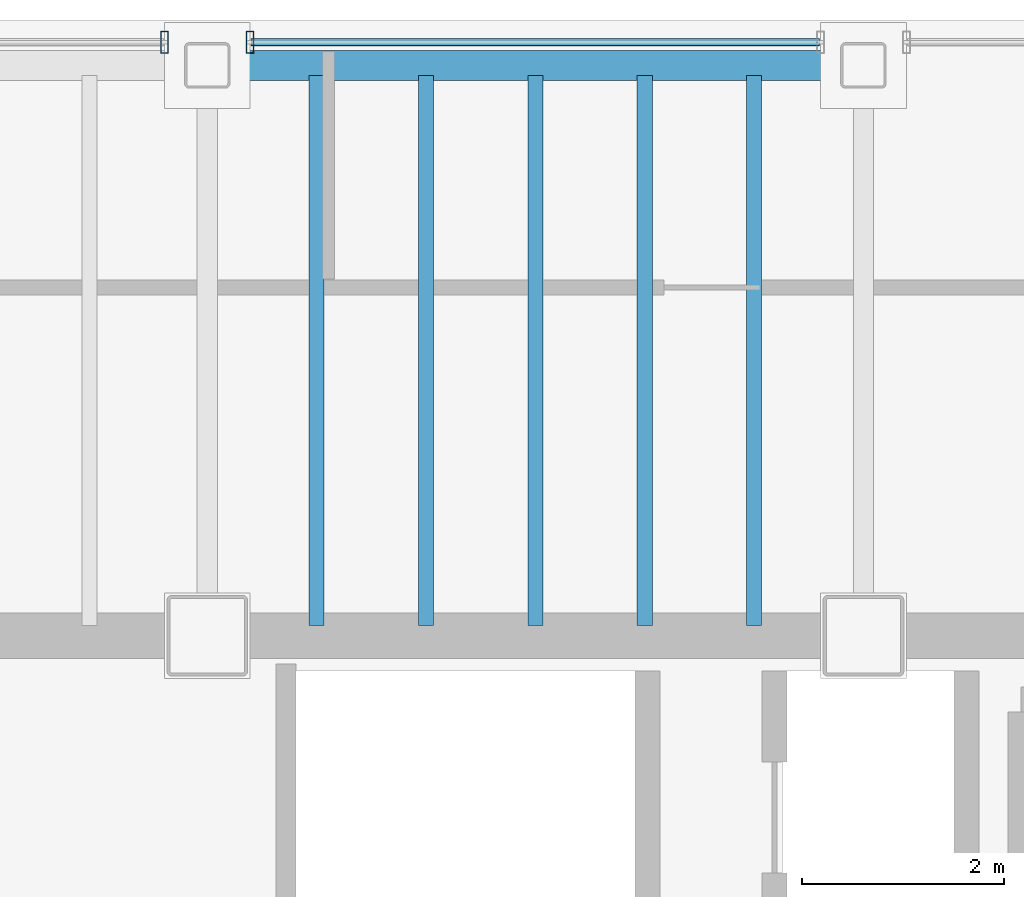
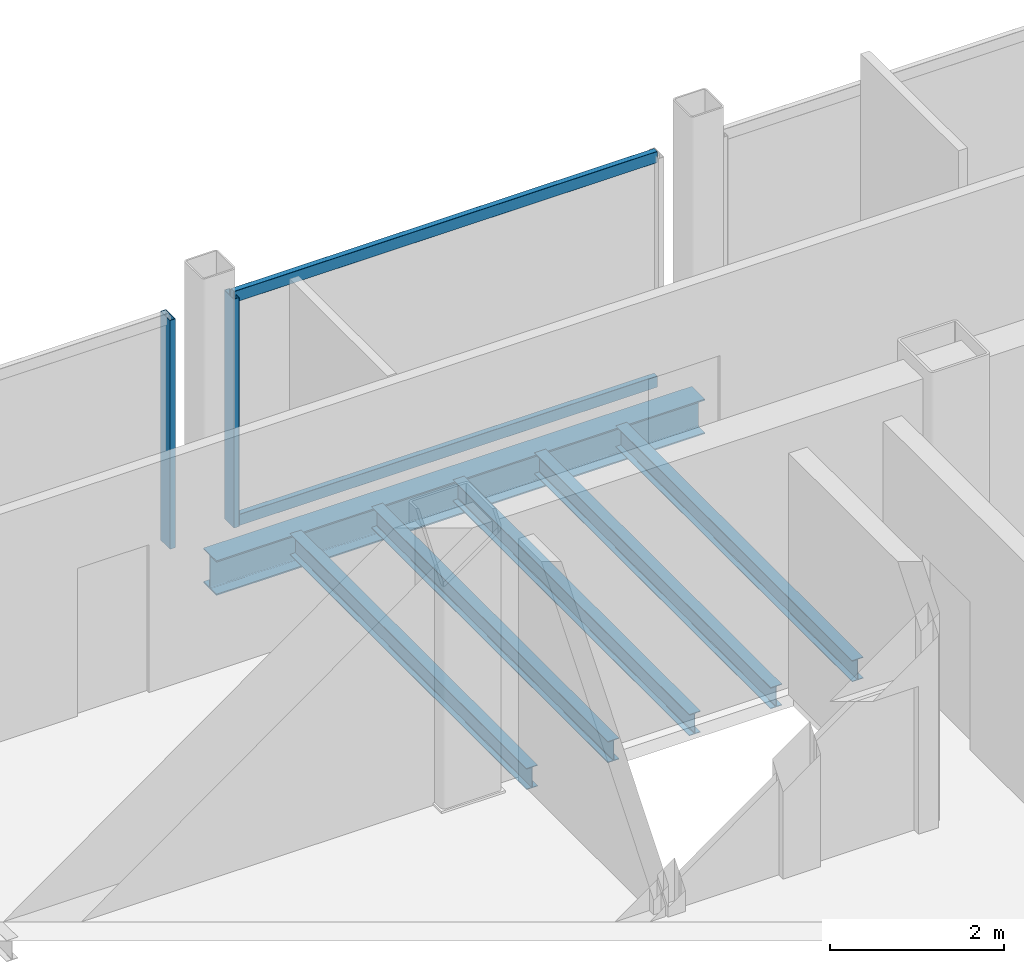
# One storey, part 10 of 17: 6 beams, 4 members, 2 elements without a shape of their own.
"""IFC4 building model written with IfcOpenShell, lengths in metres."""

from ifc_helpers import new_model, si_unit, direction, frame, origin, origin_2d, place, context, subcontext, project, spatial, hollow_rectangle, i_section, extrude, material, material_profile, profile_set, type_object, element, aggregate, save


model = new_model("IFC4")

# Units and contexts
model_context = context("Model", 3, precision=1e-05, world=origin(), true_north=direction((0.0, 1.0)))
body_context = subcontext(model_context, "Body", "Model", "MODEL_VIEW")
ifc_project = project(units=[si_unit("LENGTHUNIT", "METRE"), si_unit("AREAUNIT", "SQUARE_METRE"), si_unit("VOLUMEUNIT", "CUBIC_METRE"), si_unit("PLANEANGLEUNIT", "RADIAN"), si_unit("MASSUNIT", "GRAM", prefix="KILO")], contexts=[model_context])

# Site, building, storey
site_placement = place(None, origin())
site = spatial("IfcSite", under=ifc_project, at=site_placement, CompositionType="ELEMENT")
building_placement = place(site_placement, origin())
building = spatial("IfcBuilding", under=site, at=building_placement, Name="Noeulbin Bourse Tower", CompositionType="ELEMENT")
storey_placement = place(building_placement, frame((0.0, 0.0, 265.699951171875)))
storey = spatial("IfcBuildingStorey", under=building, at=storey_placement, Name="L66", CompositionType="ELEMENT", Elevation=265.699951171875)

# Beams
ifc_material_1 = material(Name="Steel S355", Category="steel")
ifc_material_profile_1 = material_profile(ifc_material_1, i_section(OverallWidth=0.14990234375, OverallDepth=0.300048828125, WebThickness=0.006591796875, FlangeThickness=0.009033203125, FilletRadius=0.012939453125, at=origin_2d()), Name="H-300x150x6.5x9", Category="LoadBearing")
ifc_profile_set_1 = profile_set([ifc_material_profile_1], Name="Steel S355")
beam_type_1 = type_object("IfcBeamType", Name="BM-JST-300", PredefinedType="JOIST", material=ifc_profile_set_1)
for number, where, z_axis, x_axis, name in (
    (1, (32.083251953125, 38.39990234375, -0.329833984375), (0.0, 1.0, 0.0), (-1.0, 0.0, 0.0), "Tower Composite Joist L66-28"),
    (2, (33.166748046875, 38.39990234375, -0.329833984375), (0.0, 1.0, 0.0), (-1.0, 0.0, 0.0), "Tower Composite Joist L66-30"),
    (3, (34.25, 38.39990234375, -0.329833984375), (0.0, 1.0, 0.0), (-1.0, 0.0, 0.0), "Tower Composite Joist L66-32"),
    (4, (35.333251953125, 38.39990234375, -0.329833984375), (0.0, 1.0, 0.0), (-1.0, 0.0, 0.0), "Tower Composite Joist L66-34"),
    (5, (36.416748046875, 38.39990234375, -0.329833984375), (0.0, 1.0, 0.0), (-1.0, 0.0, 0.0), "Tower Composite Joist L66-36"),
):
    element("IfcBeam", number, at=place(storey_placement, frame(where, z_axis=z_axis, x_axis=x_axis)), inside=storey, type_object=beam_type_1, Name=name, PredefinedType="JOIST", context=body_context, shape_type="SweptSolid", body=[
        extrude(i_section(OverallWidth=0.14990234375, OverallDepth=0.300048828125, WebThickness=0.006591796875, FlangeThickness=0.009033203125, FilletRadius=0.012939453125, at=origin_2d()), origin(), (0.0, 0.0, 1.0), 5.4501953125),
    ])
ifc_material_profile_2 = material_profile(ifc_material_1, i_section(OverallWidth=0.300048828125, OverallDepth=0.488037109375, WebThickness=0.010986328125, FlangeThickness=0.01806640625, FilletRadius=0.02197265625, at=origin_2d()), Name="H-488x300x11x18", Category="LoadBearing")
ifc_profile_set_2 = profile_set([ifc_material_profile_2], Name="Steel S355")
beam_type_2 = type_object("IfcBeamType", Name="BM-SPN-488", PredefinedType="SPANDREL", material=ifc_profile_set_2)
beam_placement = place(storey_placement, frame((31.0, 43.949951171875, -0.424072265625), z_axis=(1.0, 0.0, 0.0), x_axis=(0.0, 1.0, 0.0)))
element("IfcBeam", 6, at=beam_placement, inside=storey, type_object=beam_type_2, Name="North Spandrel L66-3", PredefinedType="SPANDREL", context=body_context, shape_type="SweptSolid", body=[
    extrude(i_section(OverallWidth=0.300048828125, OverallDepth=0.488037109375, WebThickness=0.010986328125, FlangeThickness=0.01806640625, FilletRadius=0.02197265625, at=origin_2d()), origin(), (0.0, 0.0, 1.0), 6.5),
])

# Curtain wall, member
ifc_material_2 = material(Name="High-Selectivity Low-Iron Glazing", Category="glass")
curtain_wall_type = type_object("IfcCurtainWallType", Name="CW-SYS-4", PredefinedType="NOTDEFINED", material=ifc_material_2)
curtain_wall_1_placement = place(storey_placement, origin())
curtain_wall_1 = element("IfcCurtainWall", 7, at=curtain_wall_1_placement, inside=storey, type_object=curtain_wall_type, Name="Unitised Curtain Wall CW-L66-N-S3", PredefinedType="NOTDEFINED")
ifc_material_3 = material(Name="Anodised Aluminium 6063-T6", Category="aluminium")
ifc_material_profile_3 = material_profile(ifc_material_3, hollow_rectangle(XDim=0.074951171875, YDim=0.219970703125, WallThickness=0.0048828125, InnerFilletRadius=0.00244140625, OuterFilletRadius=0.0048828125, at=origin_2d()), Name="ALU-MULL-75x220x5", Category="LoadBearing")
ifc_profile_set_3 = profile_set([ifc_material_profile_3], Name="Anodised Aluminium 6063-T6")
member_type_1 = type_object("IfcMemberType", Name="CW-SYS-4-MUL", PredefinedType="MULLION", material=ifc_profile_set_3)
member_1_placement = place(storey_placement, frame((30.574951171875, 44.179931640625, -0.02001953125), z_axis=(0.0, 0.0, 1.0), x_axis=(1.0, 0.0, 0.0)))
member_1 = element("IfcMember", 8, at=member_1_placement, type_object=member_type_1, Name="Curtain Wall Mullion CW-L66-N-S3-M01", PredefinedType="MULLION", context=body_context, shape_type="SweptSolid", body=[
    extrude(hollow_rectangle(XDim=0.074951171875, YDim=0.219970703125, WallThickness=0.0048828125, InnerFilletRadius=0.00244140625, OuterFilletRadius=0.0048828125, at=origin_2d()), origin(), (0.0, 0.0, 1.0), 3.219970703125),
])
aggregate(curtain_wall_1, [member_1])

# Curtain wall, members
curtain_wall_2_placement = place(storey_placement, origin())
curtain_wall_2 = element("IfcCurtainWall", 9, at=curtain_wall_2_placement, inside=storey, type_object=curtain_wall_type, Name="Unitised Curtain Wall CW-L66-N-S4", PredefinedType="NOTDEFINED")
member_2_placement = place(storey_placement, frame((31.425048828125, 44.179931640625, -0.02001953125), z_axis=(0.0, 0.0, 1.0), x_axis=(1.0, 0.0, 0.0)))
member_2 = element("IfcMember", 10, at=member_2_placement, type_object=member_type_1, Name="Curtain Wall Mullion CW-L66-N-S4-M00", PredefinedType="MULLION", context=body_context, shape_type="SweptSolid", body=[
    extrude(hollow_rectangle(XDim=0.074951171875, YDim=0.219970703125, WallThickness=0.0048828125, InnerFilletRadius=0.00244140625, OuterFilletRadius=0.0048828125, at=origin_2d()), origin(), (0.0, 0.0, 1.0), 3.219970703125),
])
ifc_material_profile_4 = material_profile(ifc_material_3, hollow_rectangle(XDim=0.074951171875, YDim=0.159912109375, WallThickness=0.0048828125, InnerFilletRadius=0.00244140625, OuterFilletRadius=0.0048828125, at=origin_2d()), Name="ALU-TRAN-75x160x5", Category="LoadBearing")
ifc_profile_set_4 = profile_set([ifc_material_profile_4], Name="Anodised Aluminium 6063-T6")
member_type_2 = type_object("IfcMemberType", Name="CW-SYS-4-TRN", PredefinedType="USERDEFINED", material=ifc_profile_set_4)
member_3_placement = place(storey_placement, frame((31.43505859375, 44.179931640625, 0.010009765625), z_axis=(1.0, 0.0, 0.0), x_axis=(0.0, 1.0, 0.0)))
member_3 = element("IfcMember", 11, at=member_3_placement, type_object=member_type_2, Name="Curtain Wall Transom CW-L66-N-S4-T00", ObjectType="TRANSOM", PredefinedType="USERDEFINED", context=body_context, shape_type="SweptSolid", body=[
    extrude(hollow_rectangle(XDim=0.074951171875, YDim=0.159912109375, WallThickness=0.0048828125, InnerFilletRadius=0.00244140625, OuterFilletRadius=0.0048828125, at=origin_2d()), origin(), (0.0, 0.0, 1.0), 5.6298828125),
])
member_4_placement = place(storey_placement, frame((31.43505859375, 44.179931640625, 3.170166015625), z_axis=(1.0, 0.0, 0.0), x_axis=(0.0, 1.0, 0.0)))
member_4 = element("IfcMember", 12, at=member_4_placement, type_object=member_type_2, Name="Curtain Wall Transom CW-L66-N-S4-T01", ObjectType="TRANSOM", PredefinedType="USERDEFINED", context=body_context, shape_type="SweptSolid", body=[
    extrude(hollow_rectangle(XDim=0.074951171875, YDim=0.159912109375, WallThickness=0.0048828125, InnerFilletRadius=0.00244140625, OuterFilletRadius=0.0048828125, at=origin_2d()), origin(), (0.0, 0.0, 1.0), 5.6298828125),
])
aggregate(curtain_wall_2, [member_2, member_3, member_4])

save(model, "model.ifc")
